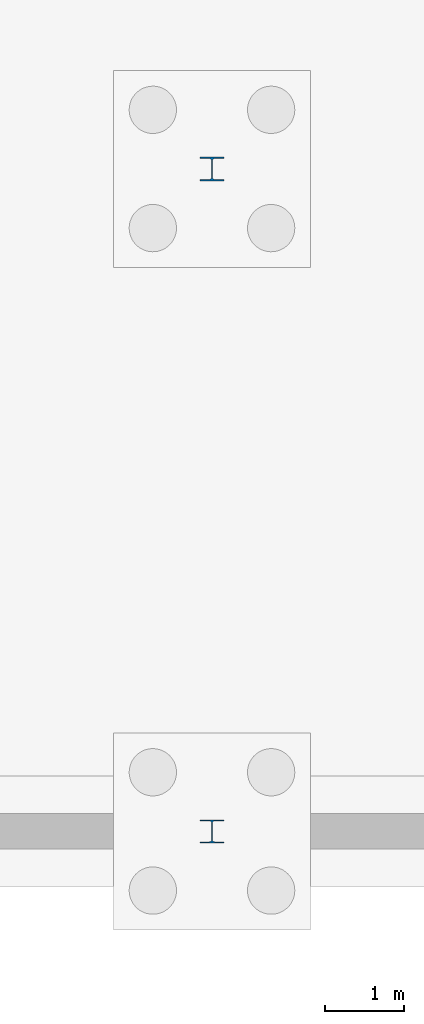
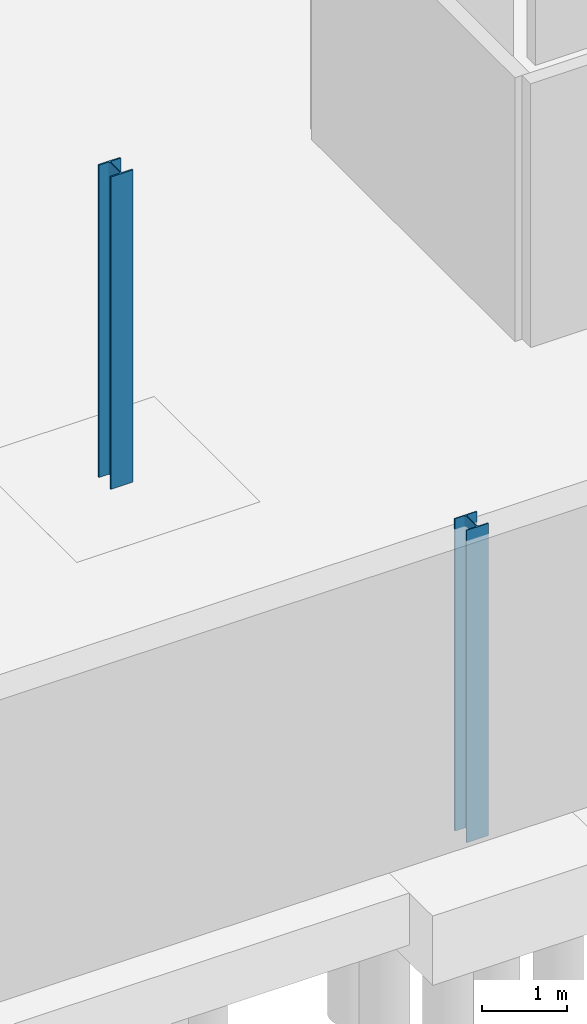
# One storey, part 8 of 35: 2 columns.
"""IFC4 building model written with IfcOpenShell, lengths in metres."""

from ifc_helpers import new_model, si_unit, direction, frame, origin, origin_2d, place, context, subcontext, project, spatial, i_section, extrude, material, material_profile, profile_set, type_object, element, save


model = new_model("IFC4")

# Units and contexts
model_context = context("Model", 3, precision=1e-05, world=origin(), true_north=direction((0.0, 1.0)))
body_context = subcontext(model_context, "Body", "Model", "MODEL_VIEW")
ifc_project = project(units=[si_unit("LENGTHUNIT", "METRE"), si_unit("AREAUNIT", "SQUARE_METRE"), si_unit("VOLUMEUNIT", "CUBIC_METRE"), si_unit("PLANEANGLEUNIT", "RADIAN"), si_unit("MASSUNIT", "GRAM", prefix="KILO")], contexts=[model_context])

# Site, building, storey
site_placement = place(None, origin())
site = spatial("IfcSite", under=ifc_project, at=site_placement, CompositionType="ELEMENT")
building_placement = place(site_placement, origin())
building = spatial("IfcBuilding", under=site, at=building_placement, Name="Ardhachandra Cancer Care Centre", CompositionType="ELEMENT")
storey_placement = place(building_placement, frame((0.0, 0.0, -4.5)))
storey = spatial("IfcBuildingStorey", under=building, at=storey_placement, Name="B1", CompositionType="ELEMENT", Elevation=-4.5)

# Columns
ifc_material_1 = material(Name="Steel E350 (IS 2062)", Category="steel")
ifc_material_profile_1 = material_profile(ifc_material_1, i_section(OverallWidth=0.300048828125, OverallDepth=0.300048828125, WebThickness=0.010986328125, FlangeThickness=0.01904296875, FilletRadius=0.027099609375, at=origin_2d()), Name="WPB 300x300x117.03")
ifc_profile_set_1 = profile_set([ifc_material_profile_1], Name="Steel E350 (IS 2062)")
column_type_1 = type_object("IfcColumnType", Name="Column WPB 300x300x117.03", PredefinedType="COLUMN", material=ifc_profile_set_1)
column_1_placement = place(storey_placement, frame((128.39990234375, 37.800048828125, 0.0), z_axis=(0.0, 0.0, 1.0), x_axis=(1.0, 0.0, 0.0)))
element("IfcColumn", 1, at=column_1_placement, inside=storey, type_object=column_type_1, Name="Column D15 B1", PredefinedType="COLUMN", context=body_context, shape_type="SweptSolid", body=[
    extrude(i_section(OverallWidth=0.300048828125, OverallDepth=0.300048828125, WebThickness=0.010986328125, FlangeThickness=0.01904296875, FilletRadius=0.027099609375, at=origin_2d()), origin(), (0.0, 0.0, 1.0), 4.5),
])
ifc_material_2 = material(Name="Steel E350 (IS 2062)", Category="steel")
ifc_material_profile_2 = material_profile(ifc_material_2, i_section(OverallWidth=0.300048828125, OverallDepth=0.2900390625, WebThickness=0.008544921875, FlangeThickness=0.013916015625, FilletRadius=0.027099609375, at=origin_2d()), Name="WPB 300x300x88.33")
ifc_profile_set_2 = profile_set([ifc_material_profile_2], Name="Steel E350 (IS 2062)")
column_type_2 = type_object("IfcColumnType", Name="Column WPB 300x300x88.33", PredefinedType="COLUMN", material=ifc_profile_set_2)
column_2_placement = place(storey_placement, frame((128.39990234375, 29.39990234375, 0.0), z_axis=(0.0, 0.0, 1.0), x_axis=(1.0, 0.0, 0.0)))
element("IfcColumn", 2, at=column_2_placement, inside=storey, type_object=column_type_2, Name="Column C15 B1", PredefinedType="COLUMN", context=body_context, shape_type="SweptSolid", body=[
    extrude(i_section(OverallWidth=0.300048828125, OverallDepth=0.2900390625, WebThickness=0.008544921875, FlangeThickness=0.013916015625, FilletRadius=0.027099609375, at=origin_2d()), origin(), (0.0, 0.0, 1.0), 4.5),
])

save(model, "model.ifc")
